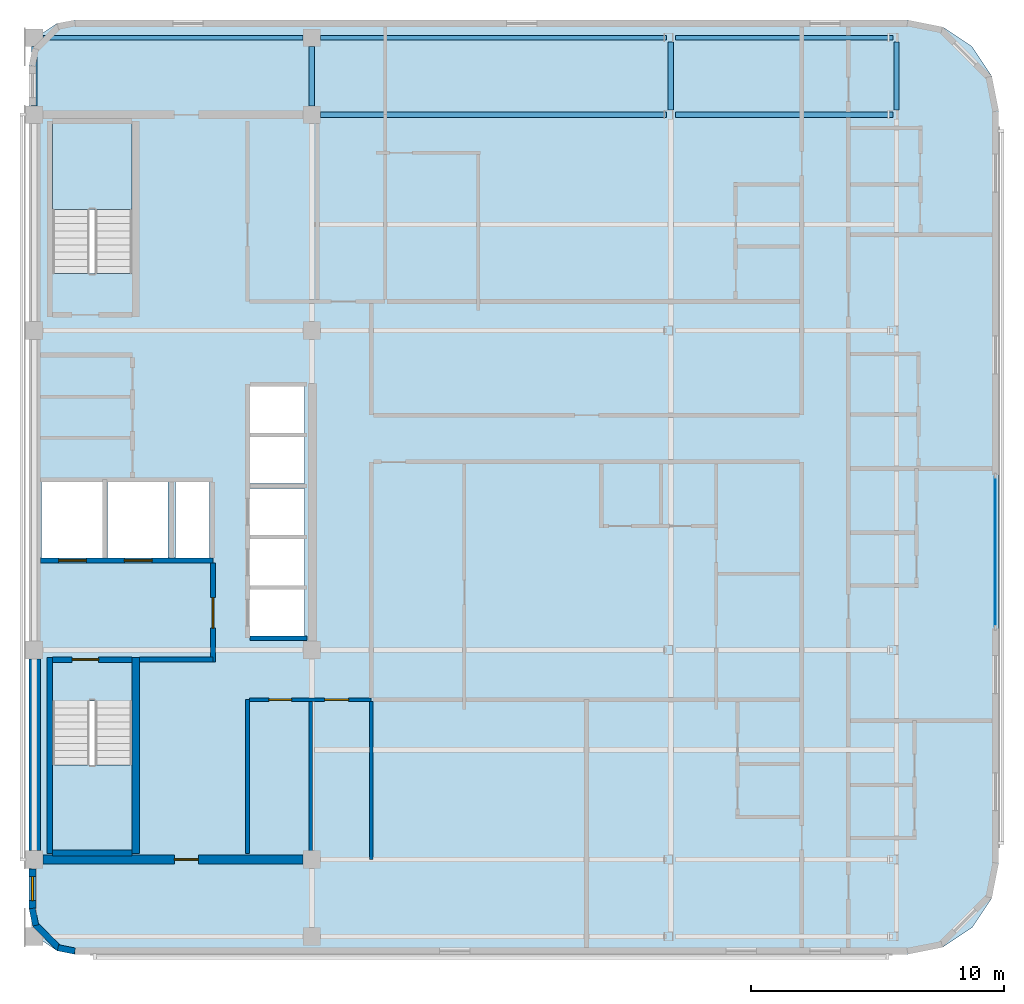
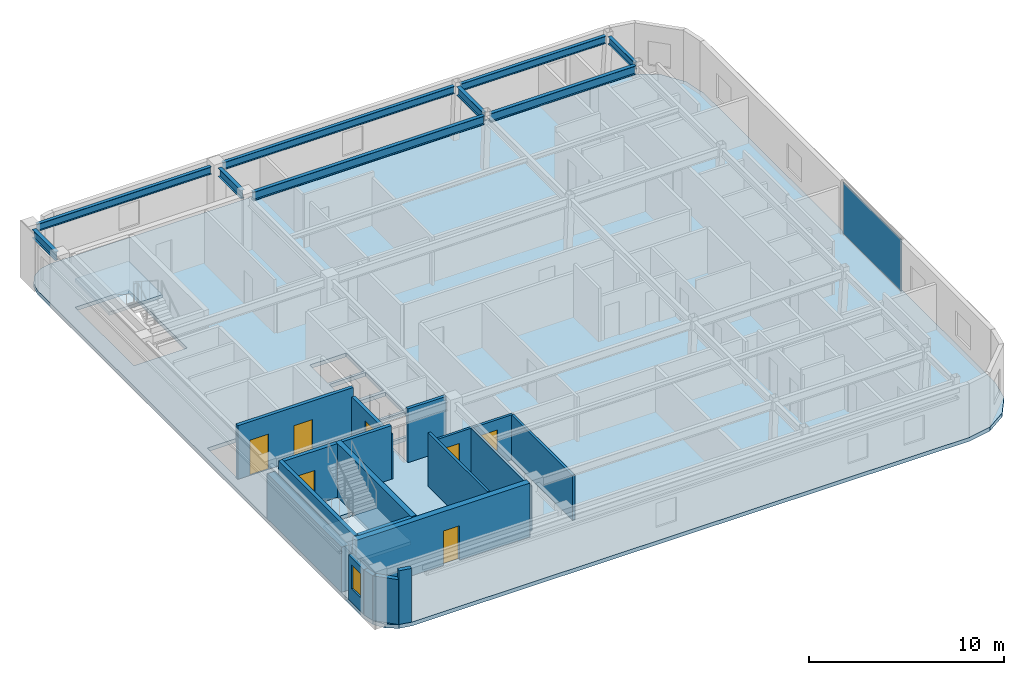
# One storey, part 3 of 10: 18 walls, 9 beams, 7 doors, 3 slabs, 1 plate, 1 window, 8 openings, 3 elements without a shape of their own.
"""IFC4 building model written with IfcOpenShell, lengths in metres."""

from ifc_helpers import new_model, si_unit, direction, frame, frame_2d, origin, origin_2d, place, context, subcontext, project, spatial, polyline, rectangle, i_section, outline, extrude, material, layer, layer_set, material_profile, profile_set, type_object, element, fill, aggregate, save


model = new_model("IFC4")

# Units and contexts
model_context = context("Model", 3, precision=1e-05, world=origin(), true_north=direction((0.0, 1.0)))
body_context = subcontext(model_context, "Body", "Model", "MODEL_VIEW")
ifc_project = project(units=[si_unit("LENGTHUNIT", "METRE"), si_unit("AREAUNIT", "SQUARE_METRE"), si_unit("VOLUMEUNIT", "CUBIC_METRE"), si_unit("PLANEANGLEUNIT", "RADIAN"), si_unit("MASSUNIT", "GRAM", prefix="KILO")], contexts=[model_context])

# Site, building, storey
site_placement = place(None, origin())
site = spatial("IfcSite", under=ifc_project, at=site_placement, CompositionType="ELEMENT")
building_placement = place(site_placement, origin())
building = spatial("IfcBuilding", under=site, at=building_placement, Name="Ochreholt Gables", CompositionType="ELEMENT")
storey_placement = place(building_placement, frame((0.0, 0.0, 267.60009765625)))
storey = spatial("IfcBuildingStorey", under=building, at=storey_placement, Name="L70", CompositionType="ELEMENT", Elevation=267.60009765625)

# Beams
ifc_material_1 = material(Name="Steel CSA G40.21 350W", Category="steel")
ifc_material_profile_1 = material_profile(ifc_material_1, i_section(OverallWidth=0.2109375, OverallDepth=0.5390625, WebThickness=0.01171875, FlangeThickness=0.018798828125, at=origin_2d()), Name="W530X109")
ifc_profile_set_1 = profile_set([ifc_material_profile_1], Name="Steel CSA G40.21 350W")
beam_type_1 = type_object("IfcBeamType", Name="BM-G-W530A", PredefinedType="BEAM", material=ifc_profile_set_1)
beam_1_placement = place(storey_placement, frame((35.549560546875, 38.75, 3.09033203125), z_axis=(1.0, 0.0, 0.0), x_axis=(0.0, 1.0, 0.0)))
element("IfcBeam", 1, at=beam_1_placement, inside=storey, type_object=beam_type_1, Name="L70 Beam TBG-L70-C2EM-Y5", PredefinedType="BEAM", context=body_context, shape_type="SweptSolid", body=[
    extrude(i_section(OverallWidth=0.2109375, OverallDepth=0.5390625, WebThickness=0.01171875, FlangeThickness=0.018798828125, at=origin_2d()), origin(), (0.0, 0.0, 1.0), 13.700927734375),
])
beam_2_placement = place(storey_placement, frame((49.605712890625, 38.75, 3.09033203125), z_axis=(1.0, 0.0, 0.0), x_axis=(0.0, 1.0, 0.0)))
element("IfcBeam", 2, at=beam_2_placement, inside=storey, type_object=beam_type_1, Name="L70 Beam TBG-L70-EMEE-Y5", PredefinedType="BEAM", context=body_context, shape_type="SweptSolid", body=[
    extrude(i_section(OverallWidth=0.2109375, OverallDepth=0.5390625, WebThickness=0.01171875, FlangeThickness=0.018798828125, at=origin_2d()), origin(), (0.0, 0.0, 1.0), 8.60302734375),
])
for number, where, z_axis, x_axis, name in (
    (3, (24.199951171875, 39.099609375, 3.09033203125), (0.0, 1.0, 0.0), (-1.0, 0.0, 0.0), "L70 Beam TBN-L70-C1-Y5Y6"),
    (4, (35.199951171875, 39.099609375, 3.09033203125), (0.0, 1.0, 0.0), (-1.0, 0.0, 0.0), "L70 Beam TBN-L70-C2-Y5Y6"),
):
    element("IfcBeam", number, at=place(storey_placement, frame(where, z_axis=z_axis, x_axis=x_axis)), inside=storey, type_object=beam_type_1, Name=name, PredefinedType="BEAM", context=body_context, shape_type="SweptSolid", body=[
        extrude(i_section(OverallWidth=0.2109375, OverallDepth=0.5390625, WebThickness=0.01171875, FlangeThickness=0.018798828125, at=origin_2d()), origin(), (0.0, 0.0, 1.0), 2.350830078125),
    ])
beam_3_placement = place(storey_placement, frame((49.410888671875, 38.927490234375, 3.09033203125), z_axis=(0.0, 1.0, 0.0), x_axis=(-1.0, 0.0, 0.0)))
element("IfcBeam", 5, at=beam_3_placement, inside=storey, type_object=beam_type_1, Name="L70 Beam TBN-L70-EM-Y5Y6", PredefinedType="BEAM", context=body_context, shape_type="SweptSolid", body=[
    extrude(i_section(OverallWidth=0.2109375, OverallDepth=0.5390625, WebThickness=0.01171875, FlangeThickness=0.018798828125, at=origin_2d()), origin(), (0.0, 0.0, 1.0), 2.69482421875),
])
ifc_material_profile_2 = material_profile(ifc_material_1, i_section(OverallWidth=0.19189453125, OverallDepth=0.462890625, WebThickness=0.010498046875, FlangeThickness=0.017578125, at=origin_2d()), Name="W460X89")
ifc_profile_set_2 = profile_set([ifc_material_profile_2], Name="Steel CSA G40.21 350W")
beam_type_2 = type_object("IfcBeamType", Name="BM-SP-W460A", PredefinedType="SPANDREL", material=ifc_profile_set_2)
beam_4_placement = place(storey_placement, frame((24.549560546875, 41.800048828125, 3.12841796875), z_axis=(1.0, 0.0, 0.0), x_axis=(0.0, 1.0, 0.0)))
element("IfcBeam", 6, at=beam_4_placement, inside=storey, type_object=beam_type_2, Name="L70 Beam TBG-L70-C1C2-Y6", PredefinedType="SPANDREL", context=body_context, shape_type="SweptSolid", body=[
    extrude(i_section(OverallWidth=0.19189453125, OverallDepth=0.462890625, WebThickness=0.010498046875, FlangeThickness=0.017578125, at=origin_2d()), origin(), (0.0, 0.0, 1.0), 10.30078125),
])
beam_5_placement = place(storey_placement, frame((35.549560546875, 41.800048828125, 3.12841796875), z_axis=(1.0, 0.0, 0.0), x_axis=(0.0, 1.0, 0.0)))
element("IfcBeam", 7, at=beam_5_placement, inside=storey, type_object=beam_type_2, Name="L70 Beam TBG-L70-C2EM-Y6", PredefinedType="SPANDREL", context=body_context, shape_type="SweptSolid", body=[
    extrude(i_section(OverallWidth=0.19189453125, OverallDepth=0.462890625, WebThickness=0.010498046875, FlangeThickness=0.017578125, at=origin_2d()), origin(), (0.0, 0.0, 1.0), 13.700927734375),
])
beam_6_placement = place(storey_placement, frame((49.605712890625, 41.800048828125, 3.12841796875), z_axis=(1.0, 0.0, 0.0), x_axis=(0.0, 1.0, 0.0)))
element("IfcBeam", 8, at=beam_6_placement, inside=storey, type_object=beam_type_2, Name="L70 Beam TBG-L70-EMEE-Y6", PredefinedType="SPANDREL", context=body_context, shape_type="SweptSolid", body=[
    extrude(i_section(OverallWidth=0.19189453125, OverallDepth=0.462890625, WebThickness=0.010498046875, FlangeThickness=0.017578125, at=origin_2d()), origin(), (0.0, 0.0, 1.0), 8.60302734375),
])
beam_7_placement = place(storey_placement, frame((58.35791015625, 38.927490234375, 3.12841796875), z_axis=(0.0, 1.0, 0.0), x_axis=(-1.0, 0.0, 0.0)))
element("IfcBeam", 9, at=beam_7_placement, inside=storey, type_object=beam_type_2, Name="L70 Beam TBN-L70-EE-Y5Y6", PredefinedType="SPANDREL", context=body_context, shape_type="SweptSolid", body=[
    extrude(i_section(OverallWidth=0.19189453125, OverallDepth=0.462890625, WebThickness=0.010498046875, FlangeThickness=0.017578125, at=origin_2d()), origin(), (0.0, 0.0, 1.0), 2.69482421875),
])

# Curtain wall, plate
ifc_material_2 = material(Name="Unitised Aluminium and Triple Glazing", Category="aluminium")
ifc_layer_1 = layer(ifc_material_2, 0.2099609375, Name="Unitised Aluminium and Triple Glazing")
ifc_layer_set_1 = layer_set([ifc_layer_1], Name="Unitised Aluminium and Triple Glazing")
curtain_wall_type = type_object("IfcCurtainWallType", Name="CW-SYS5", PredefinedType="NOTDEFINED", material=ifc_layer_set_1)
curtain_wall_placement = place(storey_placement, origin())
curtain_wall = element("IfcCurtainWall", 10, at=curtain_wall_placement, inside=storey, type_object=curtain_wall_type, Name="L70 East Unitised Curtain Wall", PredefinedType="NOTDEFINED")
ifc_material_3 = material(Name="Triple Low-E Insulating Glass", Category="glass")
ifc_layer_2 = layer(ifc_material_3, 0.0380859375, Name="Triple Low-E Insulating Glass")
ifc_layer_set_2 = layer_set([ifc_layer_2], Name="Triple Low-E Insulating Glass")
plate_type = type_object("IfcPlateType", Name="CW-PNL-38", PredefinedType="CURTAIN_PANEL", material=ifc_layer_set_2)
plate_placement = place(storey_placement, frame((62.264892578125, 21.445068359375, 0.074951171875), z_axis=(0.0, 0.0, 1.0), x_axis=(0.0, 1.0, 0.0)))
plate = element("IfcPlate", 11, at=plate_placement, type_object=plate_type, Name="CW-5 panel 1.1", PredefinedType="CURTAIN_PANEL", context=body_context, shape_type="SweptSolid", body=[
    extrude(rectangle(XDim=5.93994140625, YDim=0.0380859375, at=origin_2d()), origin(), (0.0, 0.0, 1.0), 3.2099609375),
])
aggregate(curtain_wall, [plate])

# Stair, slab
ifc_material_4 = material(Name="Concrete 40 MPa", Category="concrete")
stair_type_1 = type_object("IfcStairType", Name="STAIR-CORE-ST-1", PredefinedType="HALF_TURN_STAIR", material=ifc_material_4)
stair_1_placement = place(storey_placement, origin())
stair_1 = element("IfcStair", 12, at=stair_1_placement, inside=storey, type_object=stair_type_1, Name="L70 Core Exit Stair 1", PredefinedType="HALF_TURN_STAIR")
ifc_layer_3 = layer(ifc_material_4, 0.199951171875, Name="Concrete 40 MPa")
ifc_layer_set_3 = layer_set([ifc_layer_3], Name="Concrete 40 MPa")
slab_type_1 = type_object("IfcSlabType", Name="LANDING-RC200", PredefinedType="LANDING", material=ifc_layer_set_3)
slab_1_placement = place(storey_placement, frame((0.0, 0.0, 1.599853515625)))
slab_1 = element("IfcSlab", 13, at=slab_1_placement, type_object=slab_type_1, Name="ST-1 landing 1", PredefinedType="LANDING", context=body_context, shape_type="SweptSolid", body=[
    extrude(outline(polyline([(24.919921875, 13.001953125), (24.919921875, 9.52001953125), (28.080078125, 9.52001953125), (28.080078125, 13.001953125), (24.919921875, 13.001953125)])), origin(), (0.0, 0.0, 1.0), 0.199951171875),
])
aggregate(stair_1, [slab_1])

stair_type_2 = type_object("IfcStairType", Name="STAIR-CORE-ST-2", PredefinedType="HALF_TURN_STAIR", material=ifc_material_4)
stair_2_placement = place(storey_placement, origin())
stair_2 = element("IfcStair", 14, at=stair_2_placement, inside=storey, type_object=stair_type_2, Name="L70 Core Exit Stair 2", PredefinedType="HALF_TURN_STAIR")
slab_2_placement = place(storey_placement, frame((0.0, 0.0, 1.599853515625)))
slab_2 = element("IfcSlab", 15, at=slab_2_placement, type_object=slab_type_1, Name="ST-2 landing 1", PredefinedType="LANDING", context=body_context, shape_type="SweptSolid", body=[
    extrude(outline(polyline([(28.080078125, 34.998046875), (28.080078125, 38.47998046875), (24.919921875, 38.47998046875), (24.919921875, 34.998046875), (28.080078125, 34.998046875)])), origin(), (0.0, 0.0, 1.0), 0.199951171875),
])
aggregate(stair_2, [slab_2])

# Slab
ifc_layer_4 = layer(ifc_material_4, 0.239990234375, Name="Concrete 40 MPa")
ifc_layer_set_4 = layer_set([ifc_layer_4], Name="Concrete 40 MPa")
slab_type_2 = type_object("IfcSlabType", Name="SLAB-TWR-240", PredefinedType="FLOOR", material=ifc_layer_set_4)
slab_3_placement = place(storey_placement, frame((0.0, 0.0, -0.239990234375)))
element("IfcSlab", 16, at=slab_3_placement, inside=storey, type_object=slab_type_2, Name="L70 Structural Floor Slab", PredefinedType="FLOOR", context=body_context, shape_type="SweptSolid", body=[
    extrude(outline(polyline([(24.0, 7.300048828125), (24.136962890625, 6.611083984375), (24.527099609375, 6.027099609375), (25.111083984375, 5.636962890625), (25.800048828125, 5.5), (58.800048828125, 5.5), (60.177734375, 5.77392578125), (61.345703125, 6.554443359375), (62.1259765625, 7.722412109375), (62.39990234375, 9.10009765625), (62.39990234375, 38.89990234375), (62.1259765625, 40.277587890625), (61.345703125, 41.445556640625), (60.177734375, 42.22607421875), (58.800048828125, 42.5), (25.800048828125, 42.5), (25.111083984375, 42.363037109375), (24.527099609375, 41.972900390625), (24.136962890625, 41.388916015625), (24.0, 40.699951171875), (24.0, 7.300048828125)]), holes=[polyline([(24.919921875, 15.539306640625), (24.919921875, 9.52001953125), (28.080078125, 9.52001953125), (28.080078125, 15.539306640625), (24.919921875, 15.539306640625)]), polyline([(28.080078125, 32.460693359375), (28.080078125, 38.47998046875), (24.919921875, 38.47998046875), (24.919921875, 32.460693359375), (28.080078125, 32.460693359375)]), polyline([(24.5, 21.199951171875), (26.89990234375, 21.199951171875), (26.89990234375, 24.199951171875), (24.5, 24.199951171875), (24.5, 21.199951171875)]), polyline([(27.10009765625, 21.199951171875), (29.5, 21.199951171875), (29.5, 24.199951171875), (27.10009765625, 24.199951171875), (27.10009765625, 21.199951171875)]), polyline([(32.75, 18.10009765625), (34.89990234375, 18.10009765625), (34.89990234375, 19.949951171875), (32.75, 19.949951171875), (32.75, 18.10009765625)]), polyline([(32.75, 20.10009765625), (34.89990234375, 20.10009765625), (34.89990234375, 21.949951171875), (32.75, 21.949951171875), (32.75, 20.10009765625)]), polyline([(32.75, 22.10009765625), (34.89990234375, 22.10009765625), (34.89990234375, 23.949951171875), (32.75, 23.949951171875), (32.75, 22.10009765625)]), polyline([(32.75, 24.14990234375), (34.89990234375, 24.14990234375), (34.89990234375, 26.0), (32.75, 26.0), (32.75, 24.14990234375)]), polyline([(32.75, 26.14990234375), (34.89990234375, 26.14990234375), (34.89990234375, 28.0), (32.75, 28.0), (32.75, 26.14990234375)]), polyline([(29.800048828125, 21.199951171875), (31.14990234375, 21.199951171875), (31.14990234375, 24.199951171875), (29.800048828125, 24.199951171875), (29.800048828125, 21.199951171875)])]), origin(), (0.0, 0.0, 1.0), 0.239990234375),
])

# Wall, opening, door
ifc_material_5 = material(Name="Concrete 50 MPa", Category="concrete")
ifc_layer_5 = layer(ifc_material_5, 0.35009765625, Name="Concrete 50 MPa")
ifc_layer_set_5 = layer_set([ifc_layer_5], Name="Concrete 50 MPa")
wall_type_1 = type_object("IfcWallType", Name="WALL-CSW-350", PredefinedType="SHEAR", material=ifc_layer_set_5)
wall_1_placement = place(storey_placement, frame((24.550048828125, 9.25, 0.0), z_axis=(0.0, 0.0, 1.0), x_axis=(1.0, 0.0, 0.0)))
wall_1 = element("IfcWall", 17, at=wall_1_placement, inside=storey, type_object=wall_type_1, Name="L70 Core South Shear Wall", PredefinedType="SHEAR", context=body_context, shape_type="SweptSolid", body=[
    extrude(rectangle(XDim=10.300048828125, YDim=0.35009765625, at=frame_2d((5.14990234375, 0.0))), origin(), (0.0, 0.0, 1.0), 3.35986328125),
])
opening_1_placement = place(wall_1_placement, frame((5.199951171875, 0.0, 0.0)))
opening_1 = element("IfcOpeningElement", 18, at=opening_1_placement, cuts=wall_1, Name="Opening D-FL2", PredefinedType="OPENING", context=body_context, shape_type="SweptSolid", body=[
    extrude(rectangle(XDim=0.949951171875, YDim=2.14990234375, at=frame_2d((0.47509765625, 1.074951171875))), frame((0.0, 0.18505859375, 0.0), z_axis=(0.0, -1.0, 0.0), x_axis=(1.0, 0.0, 0.0)), (0.0, 0.0, 1.0), 0.3701171875),
])
ifc_material_6 = material(Name="Hollow Metal Steel", Category="steel")
door_type_1 = type_object("IfcDoorType", Name="DR-INT-FLB950", OperationType="NOTDEFINED", PredefinedType="DOOR", material=ifc_material_6)
door_1_placement = place(opening_1_placement, frame((0.949951171875, 0.0, 0.0), z_axis=(0.0, 0.0, 1.0), x_axis=(-1.0, 0.0, 0.0)))
door_1 = element("IfcDoor", 19, at=door_1_placement, inside=storey, type_object=door_type_1, Name="L70 Door D-C3SSL-L70", OperationType="SINGLE_SWING_LEFT", OverallHeight=2.14990234375, OverallWidth=0.949951171875, PredefinedType="DOOR", context=body_context, shape_type="SweptSolid", body=[
    extrude(rectangle(XDim=0.949951171875, YDim=2.14990234375, at=frame_2d((0.47509765625, 1.074951171875))), frame((0.0, 0.02490234375, 0.0), z_axis=(0.0, -1.0, 0.0), x_axis=(1.0, 0.0, 0.0)), (0.0, 0.0, 1.0), 0.050048828125),
])
fill(opening_1, door_1)

# Wall
ifc_layer_6 = layer(ifc_material_5, 0.449951171875, Name="Concrete 50 MPa")
ifc_layer_set_6 = layer_set([ifc_layer_6], Name="Concrete 50 MPa")
wall_type_2 = type_object("IfcWallType", Name="WALL-CSW-EXT", PredefinedType="SHEAR", material=ifc_layer_set_6)
wall_2_placement = place(storey_placement, frame((24.22509765625, 9.60009765625, 0.0), z_axis=(0.0, 0.0, 1.0), x_axis=(0.0, 1.0, 0.0)))
element("IfcWall", 20, at=wall_2_placement, inside=storey, type_object=wall_type_2, Name="L70 Core West Shear Wall WS", PredefinedType="SHEAR", context=body_context, shape_type="SweptSolid", body=[
    extrude(rectangle(XDim=7.599853515625, YDim=0.449951171875, at=frame_2d((3.7998046875, 0.0))), origin(), (0.0, 0.0, 1.0), 2.82080078125),
])

# Wall, opening, window
ifc_material_7 = material(Name="Precast concrete 40 MPa", Category="concrete")
ifc_layer_7 = layer(ifc_material_7, 0.27001953125, Name="Precast concrete 40 MPa")
ifc_layer_set_7 = layer_set([ifc_layer_7], Name="Precast concrete 40 MPa")
wall_type_3 = type_object("IfcWallType", Name="WALL-EXT-270", PredefinedType="SOLIDWALL", material=ifc_layer_set_7)
wall_3_placement = place(storey_placement, frame((24.135009765625, 7.320068359375, 0.0), z_axis=(0.0, 0.0, 1.0), x_axis=(0.0, 1.0, 0.0)))
wall_3 = element("IfcWall", 21, at=wall_3_placement, inside=storey, type_object=wall_type_3, Name="L70 West Facade South Bay Wall", PredefinedType="SOLIDWALL", context=body_context, shape_type="SweptSolid", body=[
    extrude(rectangle(XDim=1.559814453125, YDim=0.27001953125, at=frame_2d((0.77978515625, 0.0))), origin(), (0.0, 0.0, 1.0), 2.802978515625),
])
opening_2_placement = place(wall_3_placement, frame((0.304931640625, 0.0, 0.85009765625)))
opening_2 = element("IfcOpeningElement", 22, at=opening_2_placement, cuts=wall_3, Name="Opening WN-10", PredefinedType="OPENING", context=body_context, shape_type="SweptSolid", body=[
    extrude(rectangle(XDim=0.949951171875, YDim=1.5, at=frame_2d((0.47509765625, 0.75))), frame((0.0, 0.14501953125, 0.0), z_axis=(0.0, -1.0, 0.0), x_axis=(1.0, 0.0, 0.0)), (0.0, 0.0, 1.0), 0.2900390625),
])
ifc_material_8 = material(Name="Triple-Glazed Thermally Broken Aluminium Window", Category="aluminium")
window_type = type_object("IfcWindowType", Name="WIN-RES-950", PartitioningType="SINGLE_PANEL", PredefinedType="WINDOW", material=ifc_material_8)
window_placement = place(opening_2_placement, origin())
window = element("IfcWindow", 23, at=window_placement, inside=storey, type_object=window_type, Name="L70 South Sky Lounge West Window", OverallHeight=1.5, OverallWidth=0.949951171875, PartitioningType="SINGLE_PANEL", PredefinedType="WINDOW", context=body_context, shape_type="SweptSolid", body=[
    extrude(rectangle(XDim=0.949951171875, YDim=1.5, at=frame_2d((0.47509765625, 0.75))), frame((0.0, 0.030029296875, 0.0), z_axis=(0.0, -1.0, 0.0), x_axis=(1.0, 0.0, 0.0)), (0.0, 0.0, 1.0), 0.06005859375),
])
fill(opening_2, window)

# Walls
ifc_layer_8 = layer(ifc_material_7, 0.25, Name="Precast concrete 40 MPa")
ifc_layer_set_8 = layer_set([ifc_layer_8], Name="Precast concrete 40 MPa")
wall_type_4 = type_object("IfcWallType", Name="WALL-EXT-CNR", PredefinedType="SOLIDWALL", material=ifc_layer_set_8)
wall_4_placement = place(storey_placement, frame((24.124267578125, 7.31640625, 0.0), z_axis=(0.0, 0.0, 1.0), x_axis=(0.194952956674, -0.980812594069, 0.0)))
element("IfcWall", 24, at=wall_4_placement, inside=storey, type_object=wall_type_4, Name="L70 Rounded Corner Wall SW-1", PredefinedType="SOLIDWALL", context=body_context, shape_type="SweptSolid", body=[
    extrude(rectangle(XDim=0.686279296875, YDim=0.25, at=frame_2d((0.34326171875, 0.0))), origin(), (0.0, 0.0, 1.0), 2.802978515625),
])
wall_5_placement = place(storey_placement, frame((24.23095703125, 6.69384765625, 0.0), z_axis=(0.0, 0.0, 1.0), x_axis=(0.707106781187, -0.707106781187, 0.0)))
element("IfcWall", 25, at=wall_5_placement, inside=storey, type_object=wall_type_4, Name="L70 Rounded Corner Wall SW-2", PredefinedType="SOLIDWALL", context=body_context, shape_type="SweptSolid", body=[
    extrude(rectangle(XDim=1.36181640625, YDim=0.25, at=frame_2d((0.680908203125, 0.0))), origin(), (0.0, 0.0, 1.0), 2.802978515625),
])
wall_6_placement = place(storey_placement, frame((25.143310546875, 5.758056640625, 0.0), z_axis=(0.0, 0.0, 1.0), x_axis=(0.980812594069, -0.194952956674, 0.0)))
element("IfcWall", 26, at=wall_6_placement, inside=storey, type_object=wall_type_4, Name="L70 Rounded Corner Wall SW-3", PredefinedType="SOLIDWALL", context=body_context, shape_type="SweptSolid", body=[
    extrude(rectangle(XDim=0.686279296875, YDim=0.25, at=frame_2d((0.34326171875, 0.0))), origin(), (0.0, 0.0, 1.0), 3.35986328125),
])

# Wall, openings, doors
ifc_layer_9 = layer(ifc_material_4, 0.199951171875, Name="Concrete 40 MPa")
ifc_layer_set_9 = layer_set([ifc_layer_9], Name="Concrete 40 MPa")
wall_type_5 = type_object("IfcWallType", Name="WALL-INT-CF200", PredefinedType="STANDARD", material=ifc_layer_set_9)
wall_7_placement = place(storey_placement, frame((24.449951171875, 21.090087890625, 0.0), z_axis=(0.0, 0.0, 1.0), x_axis=(1.0, 0.0, 0.0)))
wall_7 = element("IfcWall", 27, at=wall_7_placement, inside=storey, type_object=wall_type_5, Name="L70 Interior Wall WI-FFN-L70", PredefinedType="STANDARD", context=body_context, shape_type="SweptSolid", body=[
    extrude(rectangle(XDim=6.830078125, YDim=0.199951171875, at=frame_2d((3.4150390625, 0.0))), origin(), (0.0, 0.0, 1.0), 3.35986328125),
])
opening_3_placement = place(wall_7_placement, frame((0.719970703125, 0.0, 0.0)))
opening_3 = element("IfcOpeningElement", 28, at=opening_3_placement, cuts=wall_7, Name="Opening LD-FF", PredefinedType="OPENING", context=body_context, shape_type="SweptSolid", body=[
    extrude(rectangle(XDim=1.10009765625, YDim=2.199951171875, at=frame_2d((0.550048828125, 1.10009765625))), frame((0.0, 0.10986328125, 0.0), z_axis=(0.0, -1.0, 0.0), x_axis=(1.0, 0.0, 0.0)), (0.0, 0.0, 1.0), 0.219970703125),
])
opening_4_placement = place(wall_7_placement, frame((3.320068359375, 0.0, 0.0)))
opening_4 = element("IfcOpeningElement", 29, at=opening_4_placement, cuts=wall_7, Name="Opening LD-FF", PredefinedType="OPENING", context=body_context, shape_type="SweptSolid", body=[
    extrude(rectangle(XDim=1.10009765625, YDim=2.199951171875, at=frame_2d((0.550048828125, 1.10009765625))), frame((0.0, 0.10986328125, 0.0), z_axis=(0.0, -1.0, 0.0), x_axis=(1.0, 0.0, 0.0)), (0.0, 0.0, 1.0), 0.219970703125),
])
ifc_material_9 = material(Name="Stainless Steel", Category="steel")
door_type_2 = type_object("IfcDoorType", Name="DR-LFT-FF1100", OperationType="NOTDEFINED", PredefinedType="DOOR", material=ifc_material_9)
door_2_placement = place(opening_3_placement, origin())
door_2 = element("IfcDoor", 30, at=door_2_placement, inside=storey, type_object=door_type_2, Name="L70 Door LD-FF1-L70", OperationType="SLIDING_TO_LEFT", OverallHeight=2.199951171875, OverallWidth=1.10009765625, PredefinedType="DOOR", context=body_context, shape_type="SweptSolid", body=[
    extrude(rectangle(XDim=1.10009765625, YDim=2.199951171875, at=frame_2d((0.550048828125, 1.10009765625))), frame((0.0, 0.02490234375, 0.0), z_axis=(0.0, -1.0, 0.0), x_axis=(1.0, 0.0, 0.0)), (0.0, 0.0, 1.0), 0.050048828125),
])
fill(opening_3, door_2)
door_3_placement = place(opening_4_placement, origin())
door_3 = element("IfcDoor", 31, at=door_3_placement, inside=storey, type_object=door_type_2, Name="L70 Door LD-FF2-L70", OperationType="SLIDING_TO_LEFT", OverallHeight=2.199951171875, OverallWidth=1.10009765625, PredefinedType="DOOR", context=body_context, shape_type="SweptSolid", body=[
    extrude(rectangle(XDim=1.10009765625, YDim=2.199951171875, at=frame_2d((0.550048828125, 1.10009765625))), frame((0.0, 0.02490234375, 0.0), z_axis=(0.0, -1.0, 0.0), x_axis=(1.0, 0.0, 0.0)), (0.0, 0.0, 1.0), 0.050048828125),
])
fill(opening_4, door_3)

# Wall
wall_8_placement = place(storey_placement, frame((28.3798828125, 17.169921875, 0.0), z_axis=(0.0, 0.0, 1.0), x_axis=(1.0, 0.0, 0.0)))
element("IfcWall", 32, at=wall_8_placement, inside=storey, type_object=wall_type_5, Name="L70 Interior Wall WI-FFS-L70", PredefinedType="STANDARD", context=body_context, shape_type="SweptSolid", body=[
    extrude(rectangle(XDim=2.900146484375, YDim=0.199951171875, at=frame_2d((1.4501953125, 0.0))), origin(), (0.0, 0.0, 1.0), 3.35986328125),
])

# Wall, opening, door
wall_9_placement = place(storey_placement, frame((31.280029296875, 17.070068359375, 0.0), z_axis=(0.0, 0.0, 1.0), x_axis=(0.0, 1.0, 0.0)))
wall_9 = element("IfcWall", 33, at=wall_9_placement, inside=storey, type_object=wall_type_5, Name="L70 Interior Wall WI-FFE-L70", PredefinedType="STANDARD", context=body_context, shape_type="SweptSolid", body=[
    extrude(rectangle(XDim=3.919921875, YDim=0.199951171875, at=frame_2d((1.9599609375, 0.0))), origin(), (0.0, 0.0, 1.0), 2.802978515625),
])
opening_5_placement = place(wall_9_placement, frame((1.35009765625, 0.0, 0.0)))
opening_5 = element("IfcOpeningElement", 34, at=opening_5_placement, cuts=wall_9, Name="Opening D-FFL", PredefinedType="OPENING", context=body_context, shape_type="SweptSolid", body=[
    extrude(rectangle(XDim=1.199951171875, YDim=2.14990234375, at=frame_2d((0.60009765625, 1.074951171875))), frame((0.0, 0.10986328125, 0.0), z_axis=(0.0, -1.0, 0.0), x_axis=(1.0, 0.0, 0.0)), (0.0, 0.0, 1.0), 0.219970703125),
])
door_type_3 = type_object("IfcDoorType", Name="DR-INT-FFL1200", OperationType="NOTDEFINED", PredefinedType="DOOR", material=ifc_material_6)
door_4_placement = place(opening_5_placement, origin())
door_4 = element("IfcDoor", 35, at=door_4_placement, inside=storey, type_object=door_type_3, Name="L70 Door D-FFL-L70", OperationType="SINGLE_SWING_LEFT", OverallHeight=2.14990234375, OverallWidth=1.199951171875, PredefinedType="DOOR", context=body_context, shape_type="SweptSolid", body=[
    extrude(rectangle(XDim=1.199951171875, YDim=2.14990234375, at=frame_2d((0.60009765625, 1.074951171875))), frame((0.0, 0.02490234375, 0.0), z_axis=(0.0, -1.0, 0.0), x_axis=(1.0, 0.0, 0.0)), (0.0, 0.0, 1.0), 0.050048828125),
])
fill(opening_5, door_4)

# Wall
ifc_material_10 = material(Name="Lightweight Stud Partition", Category="gypsum")
ifc_layer_10 = layer(ifc_material_10, 0.14501953125, Name="Lightweight Stud Partition")
ifc_layer_set_10 = layer_set([ifc_layer_10], Name="Lightweight Stud Partition")
wall_type_6 = type_object("IfcWallType", Name="WALL-INT-PT145", PredefinedType="PARTITIONING", material=ifc_layer_set_10)
wall_10_placement = place(storey_placement, frame((32.64990234375, 9.5, 0.0), z_axis=(0.0, 0.0, 1.0), x_axis=(0.0, 1.0, 0.0)))
element("IfcWall", 36, at=wall_10_placement, inside=storey, type_object=wall_type_6, Name="L70 Interior Wall WI-RCL-W-L70", PredefinedType="PARTITIONING", context=body_context, shape_type="SweptSolid", body=[
    extrude(rectangle(XDim=6.080078125, YDim=0.14501953125, at=frame_2d((3.0400390625, 0.0))), origin(), (0.0, 0.0, 1.0), 3.35986328125),
])

# Wall, openings, doors
wall_11_placement = place(storey_placement, frame((32.722412109375, 15.580078125, 0.0), z_axis=(0.0, 0.0, 1.0), x_axis=(1.0, 0.0, 0.0)))
wall_11 = element("IfcWall", 37, at=wall_11_placement, inside=storey, type_object=wall_type_6, Name="L70 Interior Wall WI-RCL-N-L70", PredefinedType="PARTITIONING", context=body_context, shape_type="SweptSolid", body=[
    extrude(rectangle(XDim=4.82763671875, YDim=0.14501953125, at=frame_2d((2.413818359375, 0.0))), origin(), (0.0, 0.0, 1.0), 2.802978515625),
])
opening_6_placement = place(wall_11_placement, frame((0.777587890625, 0.0, 0.0)))
opening_6 = element("IfcOpeningElement", 38, at=opening_6_placement, cuts=wall_11, Name="Opening D-SV1", PredefinedType="OPENING", context=body_context, shape_type="SweptSolid", body=[
    extrude(rectangle(XDim=0.89990234375, YDim=2.10009765625, at=frame_2d((0.449951171875, 1.050048828125))), frame((0.0, 0.08251953125, 0.0), z_axis=(0.0, -1.0, 0.0), x_axis=(1.0, 0.0, 0.0)), (0.0, 0.0, 1.0), 0.1650390625),
])
opening_7_placement = place(wall_11_placement, frame((2.9775390625, 0.0, 0.0)))
opening_7 = element("IfcOpeningElement", 39, at=opening_7_placement, cuts=wall_11, Name="Opening D-GN1", PredefinedType="OPENING", context=body_context, shape_type="SweptSolid", body=[
    extrude(rectangle(XDim=0.949951171875, YDim=2.14990234375, at=frame_2d((0.47509765625, 1.074951171875))), frame((0.0, 0.08251953125, 0.0), z_axis=(0.0, -1.0, 0.0), x_axis=(1.0, 0.0, 0.0)), (0.0, 0.0, 1.0), 0.1650390625),
])
ifc_material_11 = material(Name="Engineered Oak Timber", Category="wood")
door_type_4 = type_object("IfcDoorType", Name="DR-INT-GEN950", OperationType="NOTDEFINED", PredefinedType="DOOR", material=ifc_material_11)
door_5_placement = place(opening_7_placement, origin())
door_5 = element("IfcDoor", 40, at=door_5_placement, inside=storey, type_object=door_type_4, Name="L70 Door D-RCL2-L70", OperationType="SINGLE_SWING_RIGHT", OverallHeight=2.14990234375, OverallWidth=0.949951171875, PredefinedType="DOOR", context=body_context, shape_type="SweptSolid", body=[
    extrude(rectangle(XDim=0.949951171875, YDim=2.14990234375, at=frame_2d((0.47509765625, 1.074951171875))), frame((0.0, 0.02490234375, 0.0), z_axis=(0.0, -1.0, 0.0), x_axis=(1.0, 0.0, 0.0)), (0.0, 0.0, 1.0), 0.050048828125),
])
fill(opening_7, door_5)
door_type_5 = type_object("IfcDoorType", Name="DR-INT-SRV900", OperationType="NOTDEFINED", PredefinedType="DOOR", material=ifc_material_6)
door_6_placement = place(opening_6_placement, origin())
door_6 = element("IfcDoor", 41, at=door_6_placement, inside=storey, type_object=door_type_5, Name="L70 Door D-RCL1-L70", OperationType="SINGLE_SWING_LEFT", OverallHeight=2.10009765625, OverallWidth=0.89990234375, PredefinedType="DOOR", context=body_context, shape_type="SweptSolid", body=[
    extrude(rectangle(XDim=0.89990234375, YDim=2.10009765625, at=frame_2d((0.449951171875, 1.050048828125))), frame((0.0, 0.02490234375, 0.0), z_axis=(0.0, -1.0, 0.0), x_axis=(1.0, 0.0, 0.0)), (0.0, 0.0, 1.0), 0.050048828125),
])
fill(opening_6, door_6)

# Walls
wall_12_placement = place(storey_placement, frame((37.550048828125, 9.25, 0.0), z_axis=(0.0, 0.0, 1.0), x_axis=(0.0, 1.0, 0.0)))
element("IfcWall", 42, at=wall_12_placement, inside=storey, type_object=wall_type_6, Name="L70 Interior Wall WI-RCL-E-L70", PredefinedType="PARTITIONING", context=body_context, shape_type="SweptSolid", body=[
    extrude(rectangle(XDim=6.257568359375, YDim=0.14501953125, at=frame_2d((3.12890625, 0.0))), origin(), (0.0, 0.0, 1.0), 2.802978515625),
])
wall_13_placement = place(storey_placement, frame((35.14990234375, 9.5, 0.0), z_axis=(0.0, 0.0, 1.0), x_axis=(0.0, 1.0, 0.0)))
element("IfcWall", 43, at=wall_13_placement, inside=storey, type_object=wall_type_6, Name="L70 Interior Wall WI-RCL-DV-L70", PredefinedType="PARTITIONING", context=body_context, shape_type="SweptSolid", body=[
    extrude(rectangle(XDim=6.007568359375, YDim=0.14501953125, at=frame_2d((3.00390625, 0.0))), origin(), (0.0, 0.0, 1.0), 2.802978515625),
])
ifc_material_12 = material(Name="Gypsum Shaftliner and Steel Stud", Category="steel")
ifc_layer_11 = layer(ifc_material_12, 0.179931640625, Name="Gypsum Shaftliner and Steel Stud")
ifc_layer_set_11 = layer_set([ifc_layer_11], Name="Gypsum Shaftliner and Steel Stud")
wall_type_7 = type_object("IfcWallType", Name="WALL-INT-SH180", PredefinedType="STANDARD", material=ifc_layer_set_11)
wall_14_placement = place(storey_placement, frame((32.739990234375, 18.02001953125, 0.0), z_axis=(0.0, 0.0, 1.0), x_axis=(1.0, 0.0, 0.0)))
element("IfcWall", 44, at=wall_14_placement, inside=storey, type_object=wall_type_7, Name="L70 Interior Wall WI-LFHE-S-L70", PredefinedType="STANDARD", context=body_context, shape_type="SweptSolid", body=[
    extrude(rectangle(XDim=2.260009765625, YDim=0.179931640625, at=frame_2d((1.1298828125, 0.0))), origin(), (0.0, 0.0, 1.0), 3.35986328125),
])
ifc_material_13 = material(Name="Concrete 60 MPa", Category="concrete")
ifc_layer_12 = layer(ifc_material_13, 0.300048828125, Name="Concrete 60 MPa")
ifc_layer_set_12 = layer_set([ifc_layer_12], Name="Concrete 60 MPa")
wall_type_8 = type_object("IfcWallType", Name="WALL-SPN-300", PredefinedType="SHEAR", material=ifc_layer_set_12)
wall_15_placement = place(storey_placement, frame((28.22998046875, 9.5, 0.0), z_axis=(0.0, 0.0, 1.0), x_axis=(0.0, 1.0, 0.0)))
element("IfcWall", 45, at=wall_15_placement, inside=storey, type_object=wall_type_8, Name="L70 Core South Spine Shear Wall", PredefinedType="SHEAR", context=body_context, shape_type="SweptSolid", body=[
    extrude(rectangle(XDim=7.760009765625, YDim=0.300048828125, at=frame_2d((3.8798828125, 0.0))), origin(), (0.0, 0.0, 1.0), 3.35986328125),
])
ifc_layer_13 = layer(ifc_material_5, 0.219970703125, Name="Concrete 50 MPa")
ifc_layer_set_13 = layer_set([ifc_layer_13], Name="Concrete 50 MPa")
wall_type_9 = type_object("IfcWallType", Name="WALL-STW-220", PredefinedType="SHEAR", material=ifc_layer_set_13)
wall_16_placement = place(storey_placement, frame((24.81005859375, 9.5, 0.0), z_axis=(0.0, 0.0, 1.0), x_axis=(0.0, 1.0, 0.0)))
element("IfcWall", 46, at=wall_16_placement, inside=storey, type_object=wall_type_9, Name="L70 Exit Stair 1 West Wall", PredefinedType="SHEAR", context=body_context, shape_type="SweptSolid", body=[
    extrude(rectangle(XDim=7.760009765625, YDim=0.219970703125, at=frame_2d((3.8798828125, 0.0))), origin(), (0.0, 0.0, 1.0), 3.35986328125),
])
wall_17_placement = place(storey_placement, frame((24.919921875, 9.510009765625, 0.0), z_axis=(0.0, 0.0, 1.0), x_axis=(1.0, 0.0, 0.0)))
element("IfcWall", 47, at=wall_17_placement, inside=storey, type_object=wall_type_9, Name="L70 Exit Stair 1 South Wall", PredefinedType="SHEAR", context=body_context, shape_type="SweptSolid", body=[
    extrude(rectangle(XDim=3.16015625, YDim=0.219970703125, at=frame_2d((1.580078125, 0.0))), origin(), (0.0, 0.0, 1.0), 3.35986328125),
])

# Wall, opening, door
wall_18_placement = place(storey_placement, frame((24.919921875, 17.169921875, 0.0), z_axis=(0.0, 0.0, 1.0), x_axis=(1.0, 0.0, 0.0)))
wall_18 = element("IfcWall", 48, at=wall_18_placement, inside=storey, type_object=wall_type_9, Name="L70 Exit Stair 1 North Wall", PredefinedType="SHEAR", context=body_context, shape_type="SweptSolid", body=[
    extrude(rectangle(XDim=3.16015625, YDim=0.219970703125, at=frame_2d((1.580078125, 0.0))), origin(), (0.0, 0.0, 1.0), 3.35986328125),
])
opening_8_placement = place(wall_18_placement, frame((0.780029296875, 0.0, 0.0)))
opening_8 = element("IfcOpeningElement", 49, at=opening_8_placement, cuts=wall_18, Name="Opening D-STC", PredefinedType="OPENING", context=body_context, shape_type="SweptSolid", body=[
    extrude(rectangle(XDim=1.050048828125, YDim=2.14990234375, at=frame_2d((0.52490234375, 1.074951171875))), frame((0.0, 0.119873046875, 0.0), z_axis=(0.0, -1.0, 0.0), x_axis=(1.0, 0.0, 0.0)), (0.0, 0.0, 1.0), 0.239990234375),
])
door_type_6 = type_object("IfcDoorType", Name="DR-INT-ST1050", OperationType="NOTDEFINED", PredefinedType="DOOR", material=ifc_material_6)
door_7_placement = place(opening_8_placement, frame((1.050048828125, 0.0, 0.0), z_axis=(0.0, 0.0, 1.0), x_axis=(-1.0, 0.0, 0.0)))
door_7 = element("IfcDoor", 50, at=door_7_placement, inside=storey, type_object=door_type_6, Name="L70 Door D-ST1-L70", OperationType="SINGLE_SWING_LEFT", OverallHeight=2.14990234375, OverallWidth=1.050048828125, PredefinedType="DOOR", context=body_context, shape_type="SweptSolid", body=[
    extrude(rectangle(XDim=1.050048828125, YDim=2.14990234375, at=frame_2d((0.52490234375, 1.074951171875))), frame((0.0, 0.02490234375, 0.0), z_axis=(0.0, -1.0, 0.0), x_axis=(1.0, 0.0, 0.0)), (0.0, 0.0, 1.0), 0.050048828125),
])
fill(opening_8, door_7)

save(model, "model.ifc")
